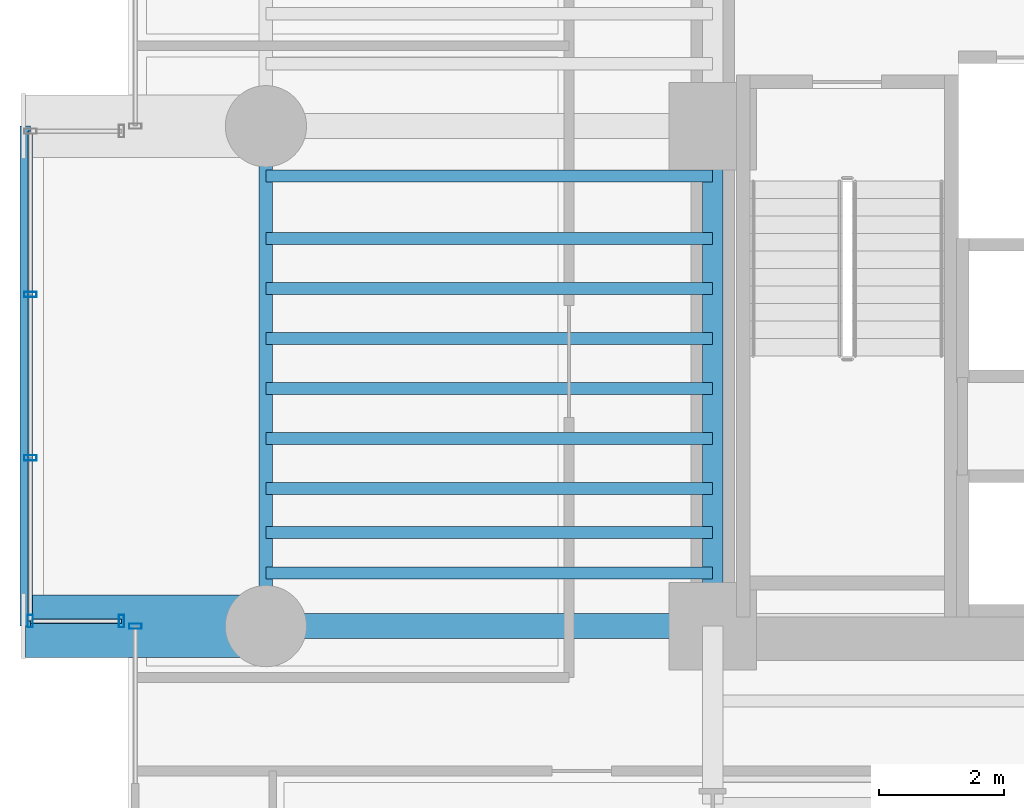
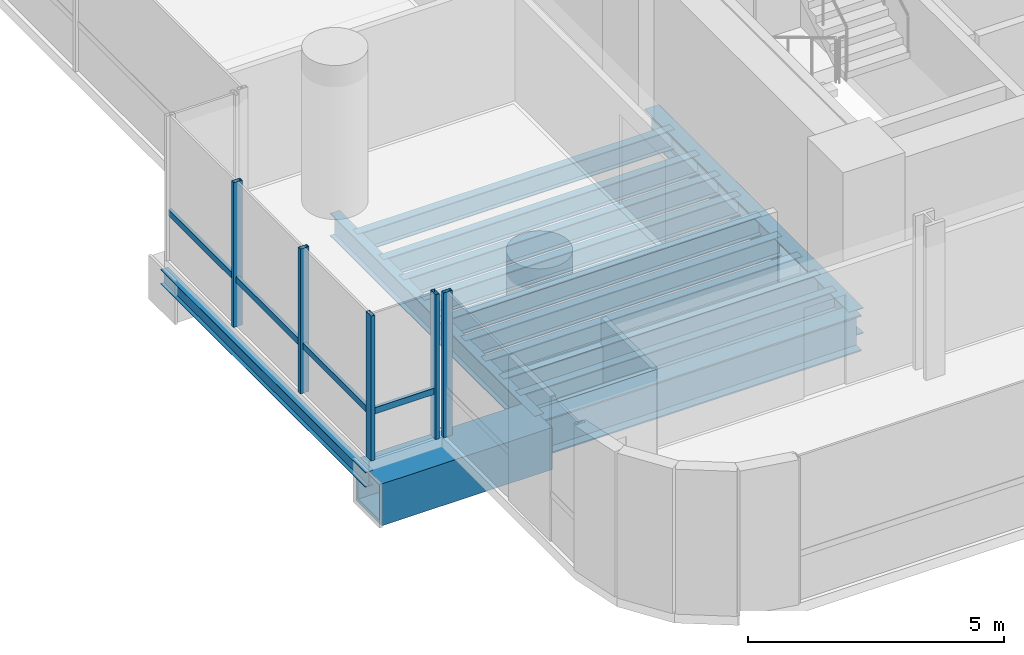
# One storey, part 4 of 41: 14 beams, 7 members, 3 elements without a shape of their own.
"""IFC4 building model written with IfcOpenShell, lengths in metres."""

from ifc_helpers import new_model, si_unit, direction, frame, origin, origin_2d, place, context, subcontext, project, spatial, hollow_rectangle, i_section, extrude, source, transform, mapped, material, material_profile, profile_set, type_object, element, aggregate, save


model = new_model("IFC4")

# Units and contexts
model_context = context("Model", 3, precision=1e-05, world=origin(), true_north=direction((0.0, 1.0)))
body_context = subcontext(model_context, "Body", "Model", "MODEL_VIEW")
ifc_project = project(units=[si_unit("LENGTHUNIT", "METRE"), si_unit("AREAUNIT", "SQUARE_METRE"), si_unit("VOLUMEUNIT", "CUBIC_METRE"), si_unit("PLANEANGLEUNIT", "RADIAN"), si_unit("MASSUNIT", "GRAM", prefix="KILO")], contexts=[model_context])

# Site, building, storey
site_placement = place(None, origin())
site = spatial("IfcSite", under=ifc_project, at=site_placement, CompositionType="ELEMENT")
building_placement = place(site_placement, origin())
building = spatial("IfcBuilding", under=site, at=building_placement, Name="Valdorenza Pilgrim Sanctuary Tower", CompositionType="ELEMENT")
storey_placement = place(building_placement, frame((0.0, 0.0, 63.0)))
storey = spatial("IfcBuildingStorey", under=building, at=storey_placement, Name="L15", CompositionType="ELEMENT", Elevation=63.0)

# Beams
ifc_material_1 = material(Name="Steel ASTM A992 Grade 50", Category="steel")
ifc_material_profile_1 = material_profile(ifc_material_1, i_section(OverallWidth=0.214111328125, OverallDepth=0.549072265625, WebThickness=0.0146484375, FlangeThickness=0.023681640625, at=origin_2d()), Name="W21X93")
ifc_profile_set_1 = profile_set([ifc_material_profile_1], Name="Steel ASTM A992 Grade 50")
beam_type_1 = type_object("IfcBeamType", Name="STR-BM-SPN-W21A", PredefinedType="SPANDREL", material=ifc_profile_set_1)
shared_shape_1 = source(origin(), body_context, "Body", "SweptSolid", [
    extrude(i_section(OverallWidth=0.214111328125, OverallDepth=0.549072265625, WebThickness=0.0146484375, FlangeThickness=0.023681640625, at=origin_2d()), origin(), (0.0, 0.0, 1.0), 8.0),
])
beam_1_placement = place(storey_placement, frame((-29.800048828125, -10.60009765625, -0.514404296875), z_axis=(0.0, 1.0, 0.0), x_axis=(-1.0, 0.0, 0.0)))
element("IfcBeam", 1, at=beam_1_placement, inside=storey, type_object=beam_type_1, Name="L15 Spandrel Beam WA-W-S1M0", PredefinedType="SPANDREL", context=body_context, shape_type="MappedRepresentation", body=[
    mapped(shared_shape_1, transform((0.0, 0.0, 0.0), x_axis=(1.0, 0.0, 0.0), y_axis=(0.0, 1.0, 0.0), z_axis=(0.0, 0.0, 1.0), scale=1.0)),
])
ifc_material_profile_2 = material_profile(ifc_material_1, i_section(OverallWidth=0.323974609375, OverallDepth=0.611083984375, WebThickness=0.0126953125, FlangeThickness=0.01904296875, at=origin_2d()), Name="W24X104")
ifc_profile_set_2 = profile_set([ifc_material_profile_2], Name="Steel ASTM A992 Grade 50")
beam_type_2 = type_object("IfcBeamType", Name="STR-BM-GRD-W24B", PredefinedType="BEAM", material=ifc_profile_set_2)
shared_shape_2 = source(origin(), body_context, "Body", "SweptSolid", [
    extrude(i_section(OverallWidth=0.323974609375, OverallDepth=0.611083984375, WebThickness=0.0126953125, FlangeThickness=0.01904296875, at=origin_2d()), origin(), (0.0, 0.0, 1.0), 8.0),
])
beam_2_placement = place(storey_placement, frame((-22.64990234375, -10.60009765625, -0.54541015625), z_axis=(0.0, 1.0, 0.0), x_axis=(-1.0, 0.0, 0.0)))
element("IfcBeam", 2, at=beam_2_placement, inside=storey, type_object=beam_type_2, Name="L15 Core Tie Girder CA-W-S1M0", PredefinedType="BEAM", context=body_context, shape_type="MappedRepresentation", body=[
    mapped(shared_shape_2, transform((0.0, 0.0, 0.0), x_axis=(1.0, 0.0, 0.0), y_axis=(0.0, 1.0, 0.0), z_axis=(0.0, 0.0, 1.0), scale=1.0)),
])
ifc_material_profile_3 = material_profile(ifc_material_1, i_section(OverallWidth=0.193115234375, OverallDepth=0.466064453125, WebThickness=0.011474609375, FlangeThickness=0.01904296875, at=origin_2d()), Name="W18X65")
ifc_profile_set_3 = profile_set([ifc_material_profile_3], Name="Steel ASTM A992 Grade 50")
beam_type_3 = type_object("IfcBeamType", Name="STR-BM-JST-W18A", PredefinedType="JOIST", material=ifc_profile_set_3)
shared_shape_3 = source(origin(), body_context, "Body", "SweptSolid", [
    extrude(i_section(OverallWidth=0.193115234375, OverallDepth=0.466064453125, WebThickness=0.011474609375, FlangeThickness=0.01904296875, at=origin_2d()), origin(), (0.0, 0.0, 1.0), 7.150146484375),
])
for number, where, z_axis, x_axis, name in (
    (3, (-29.800048828125, -9.75, -0.472900390625), (1.0, 0.0, 0.0), (0.0, 1.0, 0.0), "L15 Composite Floor Joist JST-WA-1"),
    (4, (-29.800048828125, -9.10009765625, -0.472900390625), (1.0, 0.0, 0.0), (0.0, 1.0, 0.0), "L15 Composite Floor Joist JST-WA-2"),
    (5, (-29.800048828125, -8.39990234375, -0.472900390625), (1.0, 0.0, 0.0), (0.0, 1.0, 0.0), "L15 Composite Floor Joist JST-WA-3"),
    (6, (-29.800048828125, -7.60009765625, -0.472900390625), (1.0, 0.0, 0.0), (0.0, 1.0, 0.0), "L15 Composite Floor Joist JST-WA-4"),
    (7, (-29.800048828125, -6.800048828125, -0.472900390625), (1.0, 0.0, 0.0), (0.0, 1.0, 0.0), "L15 Composite Floor Joist JST-WA-5"),
    (8, (-29.800048828125, -6.0, -0.472900390625), (1.0, 0.0, 0.0), (0.0, 1.0, 0.0), "L15 Composite Floor Joist JST-WA-6"),
    (9, (-29.800048828125, -5.199951171875, -0.472900390625), (1.0, 0.0, 0.0), (0.0, 1.0, 0.0), "L15 Composite Floor Joist JST-WA-7"),
    (10, (-29.800048828125, -4.39990234375, -0.472900390625), (1.0, 0.0, 0.0), (0.0, 1.0, 0.0), "L15 Composite Floor Joist JST-WA-8"),
    (11, (-29.800048828125, -3.39990234375, -0.472900390625), (1.0, 0.0, 0.0), (0.0, 1.0, 0.0), "L15 Composite Floor Joist JST-WA-9"),
):
    element("IfcBeam", number, at=place(storey_placement, frame(where, z_axis=z_axis, x_axis=x_axis)), inside=storey, type_object=beam_type_3, Name=name, PredefinedType="JOIST", context=body_context, shape_type="MappedRepresentation", body=[
        mapped(shared_shape_3, transform((0.0, 0.0, 0.0), x_axis=(1.0, 0.0, 0.0), y_axis=(0.0, 1.0, 0.0), z_axis=(0.0, 0.0, 1.0), scale=1.0)),
    ])
ifc_material_2 = material(Name="Steel ASTM A572 Grade 42", Category="steel")
ifc_material_profile_4 = material_profile(ifc_material_2, hollow_rectangle(XDim=1.0, YDim=1.0, WallThickness=0.080078125, at=origin_2d()), Name="BOX 1000x1000x80")
ifc_profile_set_4 = profile_set([ifc_material_profile_4], Name="Steel ASTM A572 Grade 42")
beam_type_4 = type_object("IfcBeamType", Name="STR-BM-PROW-CANT", PredefinedType="BEAM", material=ifc_profile_set_4)
shared_shape_4 = source(origin(), body_context, "Body", "SweptSolid", [
    extrude(hollow_rectangle(XDim=1.0, YDim=1.0, WallThickness=0.080078125, at=origin_2d()), origin(), (0.0, 0.0, 1.0), 3.849853515625),
])
beam_3_placement = place(storey_placement, frame((-29.800048828125, -10.60009765625, -0.739990234375), z_axis=(-1.0, 0.0, 0.0), x_axis=(0.0, -1.0, 0.0)))
element("IfcBeam", 12, at=beam_3_placement, inside=storey, type_object=beam_type_4, Name="L15 Glass Box Cantilever Beam BOX-WA-L15-CT-S", PredefinedType="BEAM", context=body_context, shape_type="MappedRepresentation", body=[
    mapped(shared_shape_4, transform((0.0, 0.0, 0.0), x_axis=(1.0, 0.0, 0.0), y_axis=(0.0, 1.0, 0.0), z_axis=(0.0, 0.0, 1.0), scale=1.0)),
])
ifc_material_profile_5 = material_profile(ifc_material_1, i_section(OverallWidth=0.1708984375, OverallDepth=0.35107421875, WebThickness=0.0068359375, FlangeThickness=0.009765625, at=origin_2d()), Name="W14X30")
ifc_profile_set_5 = profile_set([ifc_material_profile_5], Name="Steel ASTM A992 Grade 50")
beam_type_5 = type_object("IfcBeamType", Name="STR-BM-BOX-W14", PredefinedType="BEAM", material=ifc_profile_set_5)
shared_shape_5 = source(origin(), body_context, "Body", "SweptSolid", [
    extrude(i_section(OverallWidth=0.1708984375, OverallDepth=0.35107421875, WebThickness=0.0068359375, FlangeThickness=0.009765625, at=origin_2d()), origin(), (0.0, 0.0, 1.0), 8.0),
])
beam_4_placement = place(storey_placement, frame((-33.64990234375, -10.60009765625, -0.41552734375), z_axis=(0.0, 1.0, 0.0), x_axis=(-1.0, 0.0, 0.0)))
element("IfcBeam", 13, at=beam_4_placement, inside=storey, type_object=beam_type_5, Name="L15 Glass Box Edge Beam BOX-WA-L15-F", PredefinedType="BEAM", context=body_context, shape_type="MappedRepresentation", body=[
    mapped(shared_shape_5, transform((0.0, 0.0, 0.0), x_axis=(1.0, 0.0, 0.0), y_axis=(0.0, 1.0, 0.0), z_axis=(0.0, 0.0, 1.0), scale=1.0)),
])
ifc_material_profile_6 = material_profile(ifc_material_1, i_section(OverallWidth=0.39990234375, OverallDepth=0.862060546875, WebThickness=0.019775390625, FlangeThickness=0.032470703125, at=origin_2d()), Name="W33X221")
ifc_profile_set_6 = profile_set([ifc_material_profile_6], Name="Steel ASTM A992 Grade 50")
beam_type_6 = type_object("IfcBeamType", Name="STR-BM-GRD-W33", PredefinedType="BEAM", material=ifc_profile_set_6)
shared_shape_6 = source(origin(), body_context, "Body", "SweptSolid", [
    extrude(i_section(OverallWidth=0.39990234375, OverallDepth=0.862060546875, WebThickness=0.019775390625, FlangeThickness=0.032470703125, at=origin_2d()), origin(), (0.0, 0.0, 1.0), 7.150146484375),
])
beam_5_placement = place(storey_placement, frame((-29.800048828125, -10.60009765625, -0.6708984375), z_axis=(1.0, 0.0, 0.0), x_axis=(0.0, 1.0, 0.0)))
element("IfcBeam", 14, at=beam_5_placement, inside=storey, type_object=beam_type_6, Name="L15 Floor Girder WA-XW-S1", PredefinedType="BEAM", context=body_context, shape_type="MappedRepresentation", body=[
    mapped(shared_shape_6, transform((0.0, 0.0, 0.0), x_axis=(1.0, 0.0, 0.0), y_axis=(0.0, 1.0, 0.0), z_axis=(0.0, 0.0, 1.0), scale=1.0)),
])

# Curtain wall, member
ifc_material_3 = material(Name="Curtain-wall IGU glazing", Category="glass")
curtain_wall_type = type_object("IfcCurtainWallType", Name="CW-SYS-02", PredefinedType="NOTDEFINED", material=ifc_material_3)
curtain_wall_1_placement = place(storey_placement, origin())
curtain_wall_1 = element("IfcCurtainWall", 15, at=curtain_wall_1_placement, inside=storey, type_object=curtain_wall_type, Name="L15 Curtain Wall CW-L15-1-1S1", PredefinedType="NOTDEFINED")
ifc_material_4 = material(Name="Anodised aluminium AW-6060", Category="aluminium")
ifc_material_profile_7 = material_profile(ifc_material_4, hollow_rectangle(XDim=0.0849609375, YDim=0.199951171875, WallThickness=0.0048828125, at=origin_2d()), Name="ALU-M 200x85x5")
ifc_profile_set_7 = profile_set([ifc_material_profile_7], Name="Anodised aluminium AW-6060")
member_type_1 = type_object("IfcMemberType", Name="CW-MUL-02", PredefinedType="MULLION", material=ifc_profile_set_7)
shared_shape_7 = source(origin(), body_context, "Body", "SweptSolid", [
    extrude(hollow_rectangle(XDim=0.0849609375, YDim=0.199951171875, WallThickness=0.0048828125, at=origin_2d()), origin(), (0.0, 0.0, 1.0), 3.4599609375),
])
member_1_placement = place(storey_placement, frame((-31.889892578125, -10.60009765625, 0.0), z_axis=(0.0, 0.0, 1.0), x_axis=(0.0, 1.0, 0.0)))
member_1 = element("IfcMember", 16, at=member_1_placement, type_object=member_type_1, Name="CW-L15-1-1S1 Mullion 2", PredefinedType="MULLION", context=body_context, shape_type="MappedRepresentation", body=[
    mapped(shared_shape_7, transform((0.0, 0.0, 0.0), x_axis=(1.0, 0.0, 0.0), y_axis=(0.0, 1.0, 0.0), z_axis=(0.0, 0.0, 1.0), scale=1.0)),
])
aggregate(curtain_wall_1, [member_1])

# Curtain wall, members
curtain_wall_2_placement = place(storey_placement, origin())
curtain_wall_2 = element("IfcCurtainWall", 17, at=curtain_wall_2_placement, inside=storey, type_object=curtain_wall_type, Name="L15 Curtain Wall CW-L15-BOX-WA-L15-S", PredefinedType="NOTDEFINED")
member_2_placement = place(storey_placement, frame((-32.110107421875, -10.52001953125, 0.0), z_axis=(0.0, 0.0, 1.0), x_axis=(-1.0, 0.0, 0.0)))
member_2 = element("IfcMember", 18, at=member_2_placement, type_object=member_type_1, Name="CW-L15-BOX-WA-L15-S Mullion 1", PredefinedType="MULLION", context=body_context, shape_type="MappedRepresentation", body=[
    mapped(shared_shape_7, transform((0.0, 0.0, 0.0), x_axis=(1.0, 0.0, 0.0), y_axis=(0.0, 1.0, 0.0), z_axis=(0.0, 0.0, 1.0), scale=1.0)),
])
member_3_placement = place(storey_placement, frame((-33.570068359375, -10.52001953125, 0.0), z_axis=(0.0, 0.0, 1.0), x_axis=(-1.0, 0.0, 0.0)))
member_3 = element("IfcMember", 19, at=member_3_placement, type_object=member_type_1, Name="CW-L15-BOX-WA-L15-S Mullion 2", PredefinedType="MULLION", context=body_context, shape_type="MappedRepresentation", body=[
    mapped(shared_shape_7, transform((0.0, 0.0, 0.0), x_axis=(1.0, 0.0, 0.0), y_axis=(0.0, 1.0, 0.0), z_axis=(0.0, 0.0, 1.0), scale=1.0)),
])

curtain_wall_3_placement = place(storey_placement, origin())
curtain_wall_3 = element("IfcCurtainWall", 20, at=curtain_wall_3_placement, inside=storey, type_object=curtain_wall_type, Name="L15 Curtain Wall CW-L15-BOX-WA-L15-F", PredefinedType="NOTDEFINED")
member_4_placement = place(storey_placement, frame((-33.570068359375, -7.90673828125, 0.0), z_axis=(0.0, 0.0, 1.0), x_axis=(0.0, 1.0, 0.0)))
member_4 = element("IfcMember", 21, at=member_4_placement, type_object=member_type_1, Name="CW-L15-BOX-WA-L15-F Mullion 2", PredefinedType="MULLION", context=body_context, shape_type="MappedRepresentation", body=[
    mapped(shared_shape_7, transform((0.0, 0.0, 0.0), x_axis=(1.0, 0.0, 0.0), y_axis=(0.0, 1.0, 0.0), z_axis=(0.0, 0.0, 1.0), scale=1.0)),
])
member_5_placement = place(storey_placement, frame((-33.570068359375, -5.293212890625, 0.0), z_axis=(0.0, 0.0, 1.0), x_axis=(0.0, 1.0, 0.0)))
member_5 = element("IfcMember", 22, at=member_5_placement, type_object=member_type_1, Name="CW-L15-BOX-WA-L15-F Mullion 3", PredefinedType="MULLION", context=body_context, shape_type="MappedRepresentation", body=[
    mapped(shared_shape_7, transform((0.0, 0.0, 0.0), x_axis=(1.0, 0.0, 0.0), y_axis=(0.0, 1.0, 0.0), z_axis=(0.0, 0.0, 1.0), scale=1.0)),
])

# Member
ifc_material_profile_8 = material_profile(ifc_material_4, hollow_rectangle(XDim=0.074951171875, YDim=0.14990234375, WallThickness=0.00390625, at=origin_2d()), Name="ALU-T 150x75x4")
ifc_profile_set_8 = profile_set([ifc_material_profile_8], Name="Anodised aluminium AW-6060")
member_type_2 = type_object("IfcMemberType", Name="CW-TRN-02", PredefinedType="USERDEFINED", material=ifc_profile_set_8)
shared_shape_8 = source(origin(), body_context, "Body", "SweptSolid", [
    extrude(hollow_rectangle(XDim=0.074951171875, YDim=0.14990234375, WallThickness=0.00390625, at=origin_2d()), origin(), (0.0, 0.0, 1.0), 1.4599609375),
])
member_6_placement = place(storey_placement, frame((-32.110107421875, -10.52001953125, 1.1201171875), z_axis=(-1.0, 0.0, 0.0), x_axis=(0.0, -1.0, 0.0)))
member_6 = element("IfcMember", 23, at=member_6_placement, type_object=member_type_2, Name="CW-L15-BOX-WA-L15-S Transom 1", ObjectType="TRANSOM", PredefinedType="USERDEFINED", context=body_context, shape_type="MappedRepresentation", body=[
    mapped(shared_shape_8, transform((0.0, 0.0, 0.0), x_axis=(1.0, 0.0, 0.0), y_axis=(0.0, 1.0, 0.0), z_axis=(0.0, 0.0, 1.0), scale=1.0)),
])

aggregate(curtain_wall_2, [member_2, member_3, member_6])

shared_shape_9 = source(origin(), body_context, "Body", "SweptSolid", [
    extrude(hollow_rectangle(XDim=0.074951171875, YDim=0.14990234375, WallThickness=0.00390625, at=origin_2d()), origin(), (0.0, 0.0, 1.0), 7.840087890625),
])
member_7_placement = place(storey_placement, frame((-33.570068359375, -10.52001953125, 1.1201171875), z_axis=(0.0, 1.0, 0.0), x_axis=(-1.0, 0.0, 0.0)))
member_7 = element("IfcMember", 24, at=member_7_placement, type_object=member_type_2, Name="CW-L15-BOX-WA-L15-F Transom 1", ObjectType="TRANSOM", PredefinedType="USERDEFINED", context=body_context, shape_type="MappedRepresentation", body=[
    mapped(shared_shape_9, transform((0.0, 0.0, 0.0), x_axis=(1.0, 0.0, 0.0), y_axis=(0.0, 1.0, 0.0), z_axis=(0.0, 0.0, 1.0), scale=1.0)),
])

aggregate(curtain_wall_3, [member_4, member_5, member_7])

save(model, "model.ifc")
